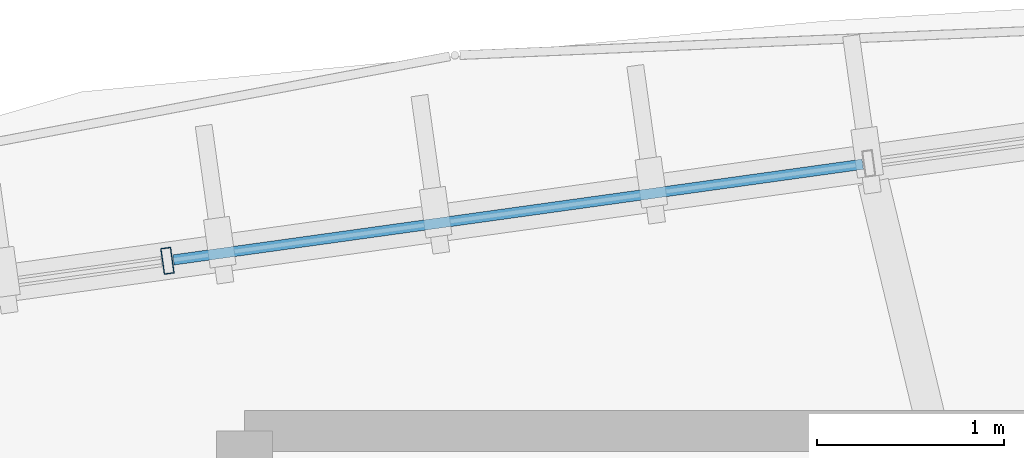
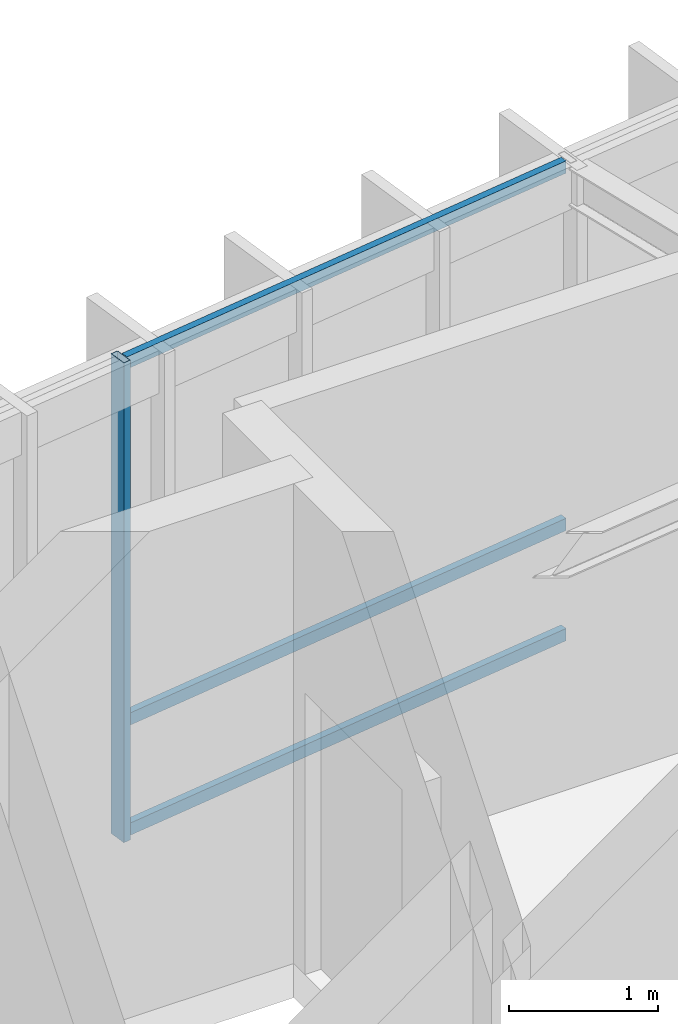
# One storey, part 36 of 78: 4 members, 1 element without a shape of its own.
"""IFC4 building model written with IfcOpenShell, lengths in metres."""

from ifc_helpers import new_model, si_unit, direction, frame, origin, origin_2d, place, context, subcontext, project, spatial, hollow_rectangle, extrude, material, material_profile, profile_set, type_object, element, aggregate, save


model = new_model("IFC4")

# Units and contexts
model_context = context("Model", 3, precision=1e-05, world=origin(), true_north=direction((0.0, 1.0)))
body_context = subcontext(model_context, "Body", "Model", "MODEL_VIEW")
ifc_project = project(units=[si_unit("LENGTHUNIT", "METRE"), si_unit("AREAUNIT", "SQUARE_METRE"), si_unit("VOLUMEUNIT", "CUBIC_METRE"), si_unit("PLANEANGLEUNIT", "RADIAN"), si_unit("MASSUNIT", "GRAM", prefix="KILO"), si_unit("THERMODYNAMICTEMPERATUREUNIT", "KELVIN"), si_unit("POWERUNIT", "WATT")], contexts=[model_context])

# Site, building, storey
site_placement = place(None, origin())
site = spatial("IfcSite", under=ifc_project, at=site_placement, CompositionType="ELEMENT")
building_placement = place(site_placement, origin())
building = spatial("IfcBuilding", under=site, at=building_placement, Name="Darbajah Civic Hall", CompositionType="ELEMENT")
storey_placement = place(building_placement, frame((0.0, 0.0, 26.39990234375)))
storey = spatial("IfcBuildingStorey", under=building, at=storey_placement, Name="L06", CompositionType="ELEMENT", Elevation=26.39990234375)

# Curtain wall, members
ifc_material_1 = material(Name="Anodised Bronze Aluminium and Low-E Glazing", Category="aluminium")
curtain_wall_type = type_object("IfcCurtainWallType", Name="Unitised Curtain Wall CW-32 15200x3900", PredefinedType="USERDEFINED", material=ifc_material_1)
curtain_wall_placement = place(storey_placement, origin())
curtain_wall = element("IfcCurtainWall", 1, at=curtain_wall_placement, inside=storey, type_object=curtain_wall_type, Name="L06 unitised curtain wall CW-V1O-L06-05", ObjectType="UNITISED CURTAIN WALL", PredefinedType="USERDEFINED")
ifc_material_2 = material(Name="Anodised Bronze Aluminium", Category="aluminium")
ifc_material_profile_1 = material_profile(ifc_material_2, hollow_rectangle(XDim=0.054931640625, YDim=0.139892578125, WallThickness=0.003173828125, at=origin_2d()), Name="ALU MULLION 55x140")
ifc_profile_set_1 = profile_set([ifc_material_profile_1], Name="Anodised Bronze Aluminium")
member_type_1 = type_object("IfcMemberType", Name="ALU MULLION 55x140", PredefinedType="MULLION", material=ifc_profile_set_1)
member_1_placement = place(storey_placement, frame((73.5869140625, 117.6103515625, 0.0), z_axis=(0.0, 0.0, 1.0), x_axis=(-0.990485459553, -0.137617420457, 0.0)))
member_1 = element("IfcMember", 2, at=member_1_placement, type_object=member_type_1, Name="CW-V1O-L06-05 mullion 4", PredefinedType="MULLION", context=body_context, shape_type="SweptSolid", body=[
    extrude(hollow_rectangle(XDim=0.054931640625, YDim=0.139892578125, WallThickness=0.003173828125, at=origin_2d()), origin(), (0.0, 0.0, 1.0), 3.920166015625),
])
ifc_material_profile_2 = material_profile(ifc_material_2, hollow_rectangle(XDim=0.054931640625, YDim=0.10009765625, WallThickness=0.0029296875, at=origin_2d()), Name="ALU TRANSOM 55x100")
ifc_profile_set_2 = profile_set([ifc_material_profile_2], Name="Anodised Bronze Aluminium")
member_type_2 = type_object("IfcMemberType", Name="ALU TRANSOM 55x100", PredefinedType="USERDEFINED", material=ifc_profile_set_2)
member_2_placement = place(storey_placement, frame((77.30859375, 118.127197265625, 0.050048828125), z_axis=(-0.990501449508, -0.13750228552, 0.0), x_axis=(0.13750228552, -0.990501449508, 0.0)))
member_2 = element("IfcMember", 3, at=member_2_placement, type_object=member_type_2, Name="CW-V1O-L06-05 transom 3.1", ObjectType="TRANSOM", PredefinedType="USERDEFINED", context=body_context, shape_type="SweptSolid", body=[
    extrude(hollow_rectangle(XDim=0.054931640625, YDim=0.10009765625, WallThickness=0.0029296875, at=origin_2d()), origin(), (0.0, 0.0, 1.0), 3.72509765625),
])
member_3_placement = place(storey_placement, frame((77.30859375, 118.127197265625, 0.9501953125), z_axis=(-0.990501449508, -0.13750228552, 0.0), x_axis=(0.13750228552, -0.990501449508, 0.0)))
member_3 = element("IfcMember", 4, at=member_3_placement, type_object=member_type_2, Name="CW-V1O-L06-05 transom 3.2", ObjectType="TRANSOM", PredefinedType="USERDEFINED", context=body_context, shape_type="SweptSolid", body=[
    extrude(hollow_rectangle(XDim=0.054931640625, YDim=0.10009765625, WallThickness=0.0029296875, at=origin_2d()), origin(), (0.0, 0.0, 1.0), 3.72509765625),
])
member_4_placement = place(storey_placement, frame((77.30859375, 118.127197265625, 3.8701171875), z_axis=(-0.990501449508, -0.13750228552, 0.0), x_axis=(0.13750228552, -0.990501449508, 0.0)))
member_4 = element("IfcMember", 5, at=member_4_placement, type_object=member_type_2, Name="CW-V1O-L06-05 transom 3.3", ObjectType="TRANSOM", PredefinedType="USERDEFINED", context=body_context, shape_type="SweptSolid", body=[
    extrude(hollow_rectangle(XDim=0.054931640625, YDim=0.10009765625, WallThickness=0.0029296875, at=origin_2d()), origin(), (0.0, 0.0, 1.0), 3.72509765625),
])
aggregate(curtain_wall, [member_1, member_2, member_3, member_4])

save(model, "model.ifc")
